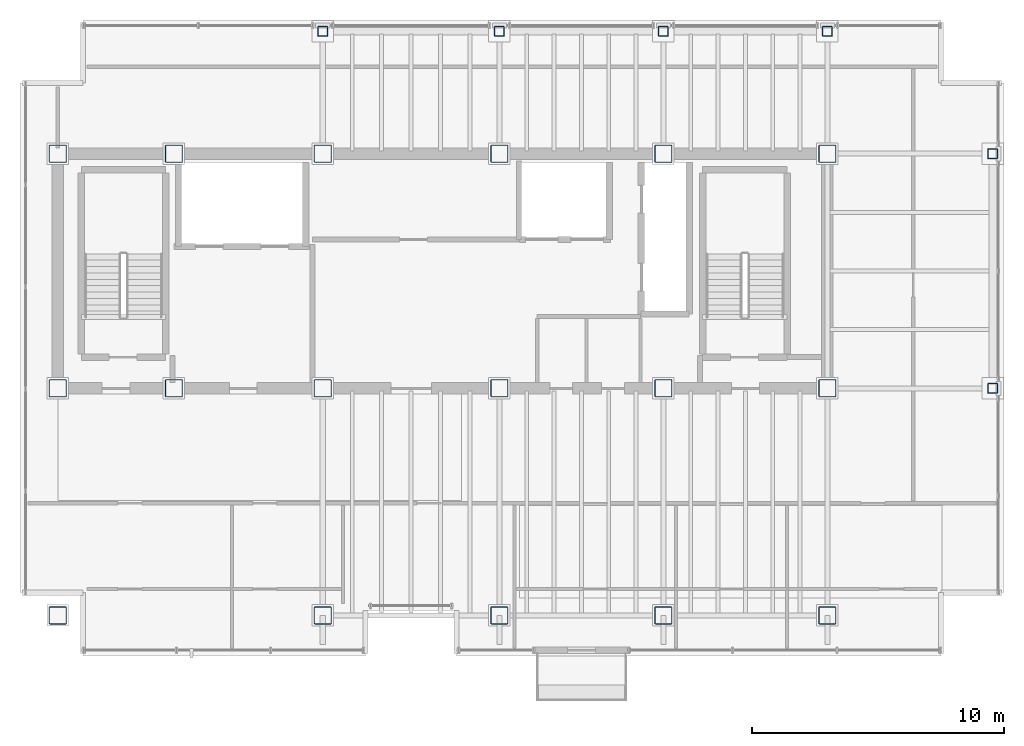
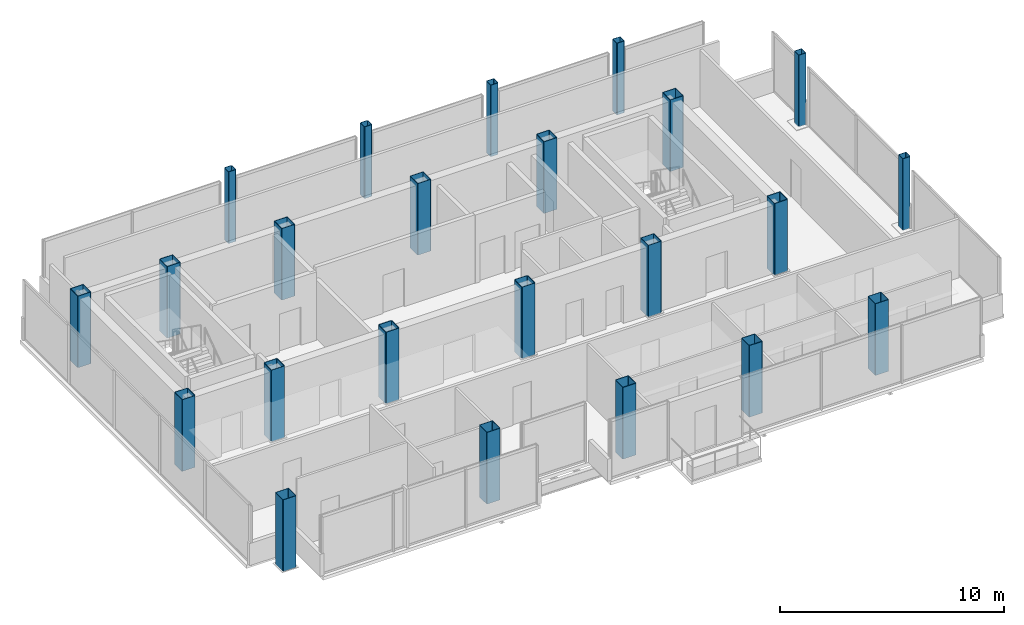
# One storey, part 1 of 17: 23 columns.
"""IFC4 building model written with IfcOpenShell, lengths in metres."""

from ifc_helpers import new_model, si_unit, direction, frame, origin, origin_2d, place, context, subcontext, project, spatial, hollow_rectangle, extrude, material, material_profile, profile_set, type_object, element, save


model = new_model("IFC4")

# Units and contexts
model_context = context("Model", 3, precision=1e-05, world=origin(), true_north=direction((0.0, 1.0)))
body_context = subcontext(model_context, "Body", "Model", "MODEL_VIEW")
ifc_project = project(units=[si_unit("LENGTHUNIT", "METRE"), si_unit("AREAUNIT", "SQUARE_METRE"), si_unit("VOLUMEUNIT", "CUBIC_METRE"), si_unit("PLANEANGLEUNIT", "RADIAN"), si_unit("MASSUNIT", "GRAM", prefix="KILO")], contexts=[model_context])

# Site, building, storey
site_placement = place(None, origin())
site = spatial("IfcSite", under=ifc_project, at=site_placement, CompositionType="ELEMENT")
building_placement = place(site_placement, origin())
building = spatial("IfcBuilding", under=site, at=building_placement, Name="Noeulbin Bourse Tower", CompositionType="ELEMENT")
storey_placement = place(building_placement, frame((0.0, 0.0, 293.0)))
storey = spatial("IfcBuildingStorey", under=building, at=storey_placement, Name="L73", CompositionType="ELEMENT", Elevation=293.0)

# Columns
ifc_material = material(Name="Steel S355", Category="steel")
ifc_material_profile_1 = material_profile(ifc_material, hollow_rectangle(XDim=0.39990234375, YDim=0.39990234375, WallThickness=0.02001953125, InnerFilletRadius=0.02001953125, OuterFilletRadius=0.0400390625, at=origin_2d()), Name="SHS-400x400x20", Category="LoadBearing")
ifc_profile_set_1 = profile_set([ifc_material_profile_1], Name="Steel S355")
column_type_1 = type_object("IfcColumnType", Name="COL-PER-Z4", PredefinedType="COLUMN", material=ifc_profile_set_1)
for number, where, z_axis, x_axis, name in (
    (1, (24.0, 43.14990234375, 0.0), (0.0, 0.0, 1.0), (1.0, 0.0, 0.0), "Tower Perimeter Column COL-PER-Z4 01"),
    (2, (31.0, 43.14990234375, 0.0), (0.0, 0.0, 1.0), (1.0, 0.0, 0.0), "Tower Perimeter Column COL-PER-Z4 02"),
    (3, (37.5, 43.14990234375, 0.0), (0.0, 0.0, 1.0), (1.0, 0.0, 0.0), "Tower Perimeter Column COL-PER-Z4 03"),
    (4, (44.0, 43.14990234375, 0.0), (0.0, 0.0, 1.0), (1.0, 0.0, 0.0), "Tower Perimeter Column COL-PER-Z4 04"),
    (5, (50.550048828125, 29.0, 0.0), (0.0, 0.0, 1.0), (1.0, 0.0, 0.0), "Tower Perimeter Column COL-PER-Z4 05"),
    (6, (50.550048828125, 38.300048828125, 0.0), (0.0, 0.0, 1.0), (1.0, 0.0, 0.0), "Tower Perimeter Column COL-PER-Z4 06"),
):
    element("IfcColumn", number, at=place(storey_placement, frame(where, z_axis=z_axis, x_axis=x_axis)), inside=storey, type_object=column_type_1, Name=name, PredefinedType="COLUMN", context=body_context, shape_type="SweptSolid", body=[
        extrude(hollow_rectangle(XDim=0.39990234375, YDim=0.39990234375, WallThickness=0.02001953125, InnerFilletRadius=0.02001953125, OuterFilletRadius=0.0400390625, at=origin_2d()), origin(), (0.0, 0.0, 1.0), 3.89990234375),
    ])
ifc_material_profile_2 = material_profile(ifc_material, hollow_rectangle(XDim=0.699951171875, YDim=0.699951171875, WallThickness=0.028076171875, InnerFilletRadius=0.013916015625, OuterFilletRadius=0.0419921875, at=origin_2d()), Name="BOX-700x700x28", Category="LoadBearing")
ifc_profile_set_2 = profile_set([ifc_material_profile_2], Name="Steel S355")
column_type_2 = type_object("IfcColumnType", Name="COL-TRK-Z4", PredefinedType="COLUMN", material=ifc_profile_set_2)
for number, where, z_axis, x_axis, name in (
    (7, (13.5, 29.0, 0.0), (0.0, 0.0, 1.0), (1.0, 0.0, 0.0), "Tower Trunk Mega-Column COL-TRK-Z4 01"),
    (8, (13.5, 38.300048828125, 0.0), (0.0, 0.0, 1.0), (1.0, 0.0, 0.0), "Tower Trunk Mega-Column COL-TRK-Z4 02"),
    (9, (18.10009765625, 29.0, 0.0), (0.0, 0.0, 1.0), (1.0, 0.0, 0.0), "Tower Trunk Mega-Column COL-TRK-Z4 03"),
    (10, (18.10009765625, 38.300048828125, 0.0), (0.0, 0.0, 1.0), (1.0, 0.0, 0.0), "Tower Trunk Mega-Column COL-TRK-Z4 04"),
    (11, (24.0, 29.0, 0.0), (0.0, 0.0, 1.0), (1.0, 0.0, 0.0), "Tower Trunk Mega-Column COL-TRK-Z4 05"),
    (12, (24.0, 38.300048828125, 0.0), (0.0, 0.0, 1.0), (1.0, 0.0, 0.0), "Tower Trunk Mega-Column COL-TRK-Z4 06"),
    (13, (31.0, 29.0, 0.0), (0.0, 0.0, 1.0), (1.0, 0.0, 0.0), "Tower Trunk Mega-Column COL-TRK-Z4 07"),
    (14, (31.0, 38.300048828125, 0.0), (0.0, 0.0, 1.0), (1.0, 0.0, 0.0), "Tower Trunk Mega-Column COL-TRK-Z4 08"),
    (15, (37.5, 29.0, 0.0), (0.0, 0.0, 1.0), (1.0, 0.0, 0.0), "Tower Trunk Mega-Column COL-TRK-Z4 09"),
    (16, (37.5, 38.300048828125, 0.0), (0.0, 0.0, 1.0), (1.0, 0.0, 0.0), "Tower Trunk Mega-Column COL-TRK-Z4 10"),
    (17, (44.0, 29.0, 0.0), (0.0, 0.0, 1.0), (1.0, 0.0, 0.0), "Tower Trunk Mega-Column COL-TRK-Z4 11"),
    (18, (44.0, 38.300048828125, 0.0), (0.0, 0.0, 1.0), (1.0, 0.0, 0.0), "Tower Trunk Mega-Column COL-TRK-Z4 12"),
    (19, (13.5, 20.0, 0.0), (0.0, 0.0, 1.0), (1.0, 0.0, 0.0), "Tower Trunk Mega-Column COL-TRK-Z4 13"),
    (20, (24.0, 20.0, 0.0), (0.0, 0.0, 1.0), (1.0, 0.0, 0.0), "Tower Trunk Mega-Column COL-TRK-Z4 14"),
    (21, (31.0, 20.0, 0.0), (0.0, 0.0, 1.0), (1.0, 0.0, 0.0), "Tower Trunk Mega-Column COL-TRK-Z4 15"),
    (22, (37.5, 20.0, 0.0), (0.0, 0.0, 1.0), (1.0, 0.0, 0.0), "Tower Trunk Mega-Column COL-TRK-Z4 16"),
    (23, (44.0, 20.0, 0.0), (0.0, 0.0, 1.0), (1.0, 0.0, 0.0), "Tower Trunk Mega-Column COL-TRK-Z4 17"),
):
    element("IfcColumn", number, at=place(storey_placement, frame(where, z_axis=z_axis, x_axis=x_axis)), inside=storey, type_object=column_type_2, Name=name, PredefinedType="COLUMN", context=body_context, shape_type="SweptSolid", body=[
        extrude(hollow_rectangle(XDim=0.699951171875, YDim=0.699951171875, WallThickness=0.028076171875, InnerFilletRadius=0.013916015625, OuterFilletRadius=0.0419921875, at=origin_2d()), origin(), (0.0, 0.0, 1.0), 3.89990234375),
    ])

save(model, "model.ifc")
